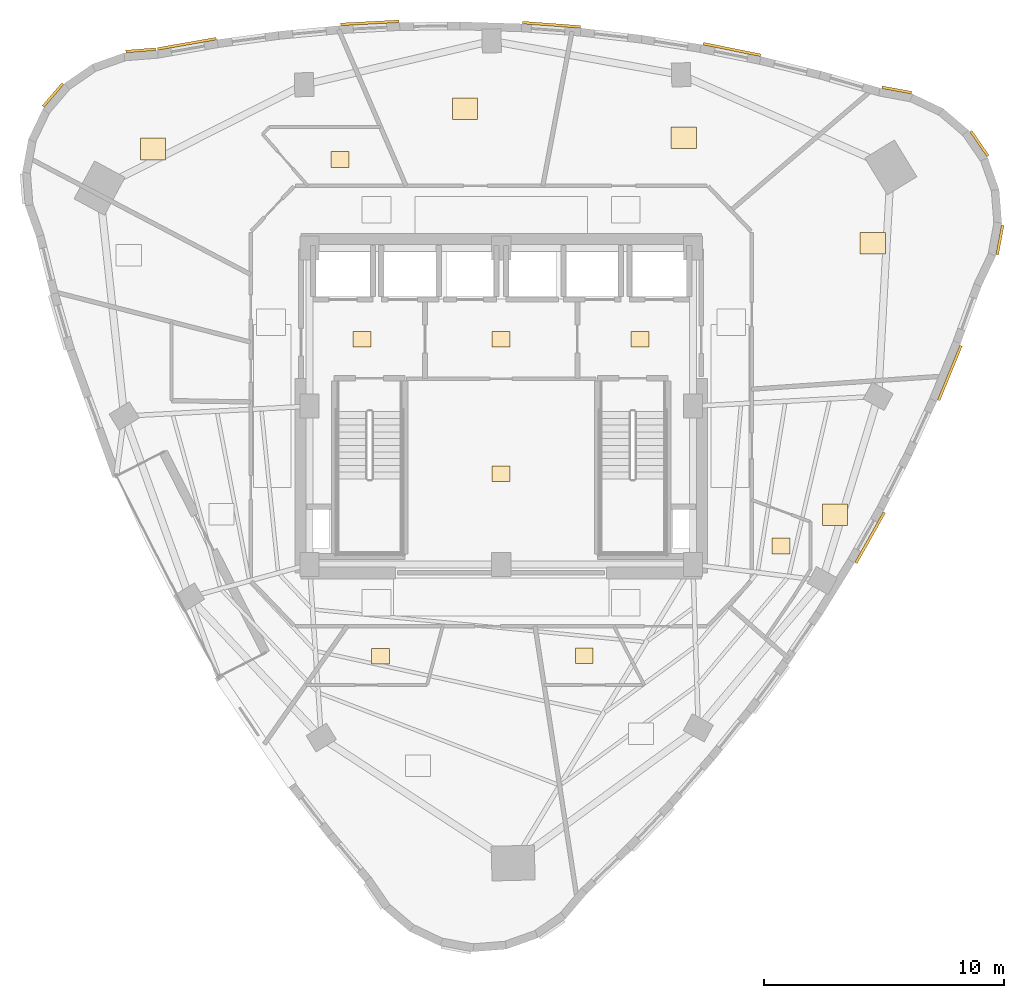
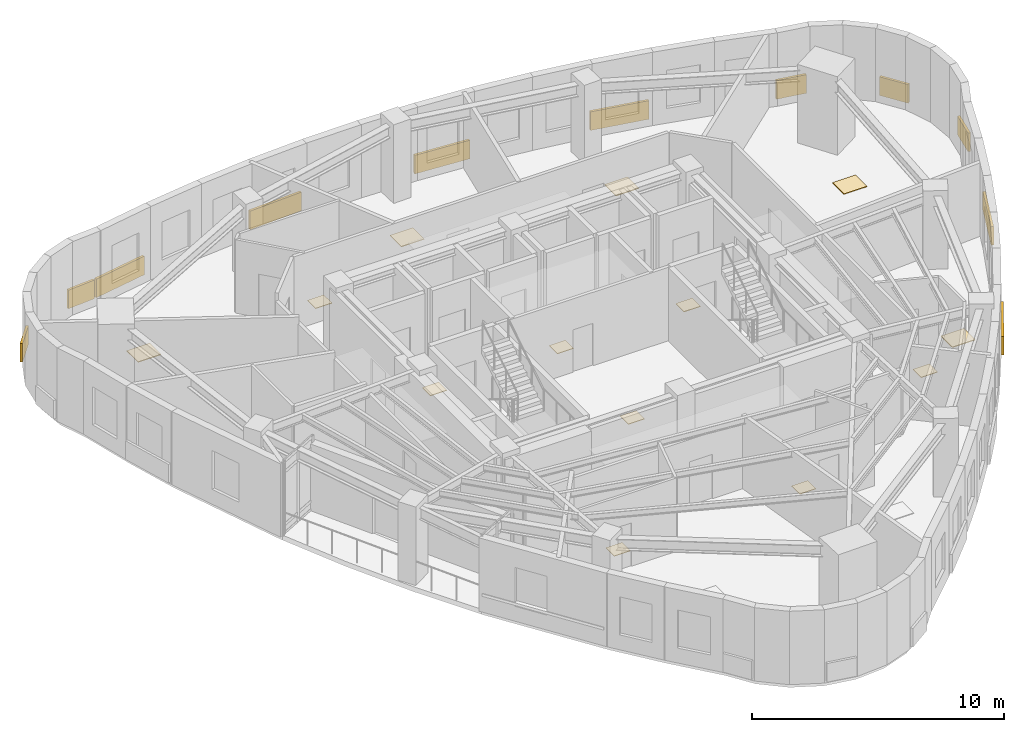
# One storey, part 12 of 12: 24 coverings.
"""IFC4 building model written with IfcOpenShell, lengths in metres."""

from ifc_helpers import new_model, si_unit, direction, frame, origin, origin_2d, place, context, subcontext, project, spatial, rectangle, extrude, material, layer, layer_set, type_object, element, save


model = new_model("IFC4")

# Units and contexts
model_context = context("Model", 3, precision=1e-05, world=origin(), true_north=direction((0.0, 1.0)))
body_context = subcontext(model_context, "Body", "Model", "MODEL_VIEW")
ifc_project = project(units=[si_unit("LENGTHUNIT", "METRE"), si_unit("AREAUNIT", "SQUARE_METRE"), si_unit("VOLUMEUNIT", "CUBIC_METRE"), si_unit("PLANEANGLEUNIT", "RADIAN"), si_unit("MASSUNIT", "GRAM", prefix="KILO")], contexts=[model_context])

# Site, building, storey
site_placement = place(None, origin())
site = spatial("IfcSite", under=ifc_project, at=site_placement, CompositionType="ELEMENT")
building_placement = place(site_placement, origin())
building = spatial("IfcBuilding", under=site, at=building_placement, Name="Ndelora Gate Hotel", CompositionType="ELEMENT")
storey_placement = place(building_placement, frame((0.0, 0.0, 194.14990234375)))
storey = spatial("IfcBuildingStorey", under=building, at=storey_placement, Name="L48", CompositionType="ELEMENT", Elevation=194.14990234375)

# Coverings
ifc_material_1 = material(Name="Terracotta Fired Clay Brick Slip Cladding", Category="masonry")
ifc_layer_1 = layer(ifc_material_1, 0.110107421875)
ifc_layer_set_1 = layer_set([ifc_layer_1], Name="Terracotta Fired Clay Brick Slip Cladding")
covering_type_1 = type_object("IfcCoveringType", Name="COV-CLAD-BRK", PredefinedType="CLADDING", material=ifc_layer_set_1)
covering_1_placement = place(storey_placement, frame((-15.0380859375, 14.849609375, 0.10009765625), z_axis=(0.0, 0.0, 1.0), x_axis=(0.996917333733, 0.078459095728, 0.0)))
element("IfcCovering", 1, at=covering_1_placement, inside=storey, type_object=covering_type_1, Name="L48 Rounded-Corner Brick Cladding Band 1", PredefinedType="CLADDING", context=body_context, shape_type="SweptSolid", body=[
    extrude(rectangle(XDim=1.257080078125, YDim=0.110107421875, at=origin_2d()), origin(), (0.0, 0.0, 1.0), 0.89990234375),
])
covering_2_placement = place(storey_placement, frame((-18.703125, 12.982421875, 0.10009765625), z_axis=(0.0, 0.0, 1.0), x_axis=(0.64944804833, 0.7604059656, 0.0)))
element("IfcCovering", 2, at=covering_2_placement, inside=storey, type_object=covering_type_1, Name="L48 Rounded-Corner Brick Cladding Band 4", PredefinedType="CLADDING", context=body_context, shape_type="SweptSolid", body=[
    extrude(rectangle(XDim=1.258056640625, YDim=0.110107421875, at=origin_2d()), origin(), (0.0, 0.0, 1.0), 0.89990234375),
])
covering_3_placement = place(storey_placement, frame((15.397705078125, -5.48388671875, 0.10009765625), z_axis=(0.0, 0.0, 1.0), x_axis=(0.490903753615, 0.87121381112, 0.0)))
element("IfcCovering", 3, at=covering_3_placement, inside=storey, type_object=covering_type_1, Name="L48 Rounded-Corner Brick Cladding Band 34", PredefinedType="CLADDING", context=body_context, shape_type="SweptSolid", body=[
    extrude(rectangle(XDim=2.419921875, YDim=0.110107421875, at=origin_2d()), origin(), (0.0, 0.0, 1.0), 0.89990234375),
])
covering_4_placement = place(storey_placement, frame((18.722900390625, 1.38720703125, 0.10009765625), z_axis=(0.0, 0.0, 1.0), x_axis=(0.379617633307, 0.925143476701, 0.0)))
element("IfcCovering", 4, at=covering_4_placement, inside=storey, type_object=covering_type_1, Name="L48 Rounded-Corner Brick Cladding Band 37", PredefinedType="CLADDING", context=body_context, shape_type="SweptSolid", body=[
    extrude(rectangle(XDim=2.4599609375, YDim=0.110107421875, at=origin_2d()), origin(), (0.0, 0.0, 1.0), 0.89990234375),
])
for number, where, z_axis, x_axis, name in (
    (5, (20.812744140625, 6.932861328125, 0.10009765625), (0.0, 0.0, 1.0), (0.182235525492, 0.983254907564, 0.0), "L48 Rounded-Corner Brick Cladding Band 40"),
    (6, (19.95751953125, 10.9560546875, 0.10009765625), (0.0, 0.0, 1.0), (-0.566406236925, 0.824126188622, 0.0), "L48 Rounded-Corner Brick Cladding Band 43"),
    (7, (16.508056640625, 13.1962890625, 0.10009765625), (0.0, 0.0, 1.0), (-0.983254907564, 0.182235525492, 0.0), "L48 Rounded-Corner Brick Cladding Band 46"),
):
    element("IfcCovering", number, at=place(storey_placement, frame(where, z_axis=z_axis, x_axis=x_axis)), inside=storey, type_object=covering_type_1, Name=name, PredefinedType="CLADDING", context=body_context, shape_type="SweptSolid", body=[
        extrude(rectangle(XDim=1.257080078125, YDim=0.110107421875, at=origin_2d()), origin(), (0.0, 0.0, 1.0), 0.89990234375),
    ])
covering_5_placement = place(storey_placement, frame((9.62841796875, 14.88720703125, 0.10009765625), z_axis=(0.0, 0.0, 1.0), x_axis=(-0.98040892658, 0.196972933884, 0.0)))
element("IfcCovering", 8, at=covering_5_placement, inside=storey, type_object=covering_type_1, Name="L48 Rounded-Corner Brick Cladding Band 49", PredefinedType="CLADDING", context=body_context, shape_type="SweptSolid", body=[
    extrude(rectangle(XDim=2.443115234375, YDim=0.110107421875, at=origin_2d()), origin(), (0.0, 0.0, 1.0), 0.89990234375),
])
covering_6_placement = place(storey_placement, frame((2.098388671875, 15.918212890625, 0.10009765625), z_axis=(0.0, 0.0, 1.0), x_axis=(-0.997314477224, 0.073238197128, 0.0)))
element("IfcCovering", 9, at=covering_6_placement, inside=storey, type_object=covering_type_1, Name="L48 Rounded-Corner Brick Cladding Band 52", PredefinedType="CLADDING", context=body_context, shape_type="SweptSolid", body=[
    extrude(rectangle(XDim=2.416015625, YDim=0.110107421875, at=origin_2d()), origin(), (0.0, 0.0, 1.0), 0.89990234375),
])
covering_7_placement = place(storey_placement, frame((-5.48193359375, 15.997314453125, 0.10009765625), z_axis=(0.0, 0.0, 1.0), x_axis=(0.998638653892, 0.052161661713, 0.0)))
element("IfcCovering", 10, at=covering_7_placement, inside=storey, type_object=covering_type_1, Name="L48 Rounded-Corner Brick Cladding Band 55", PredefinedType="CLADDING", context=body_context, shape_type="SweptSolid", body=[
    extrude(rectangle(XDim=2.428955078125, YDim=0.110107421875, at=origin_2d()), origin(), (0.0, 0.0, 1.0), 0.89990234375),
])
covering_8_placement = place(storey_placement, frame((-13.111083984375, 15.124267578125, 0.10009765625), z_axis=(0.0, 0.0, 1.0), x_axis=(0.984807753012, 0.173648177667, 0.0)))
element("IfcCovering", 11, at=covering_8_placement, inside=storey, type_object=covering_type_1, Name="L48 Rounded-Corner Brick Cladding Band 58", PredefinedType="CLADDING", context=body_context, shape_type="SweptSolid", body=[
    extrude(rectangle(XDim=2.48193359375, YDim=0.110107421875, at=origin_2d()), origin(), (0.0, 0.0, 1.0), 0.89990234375),
])
ifc_material_2 = material(Name="Engineered Highland Oak Parquet", Category="wood")
ifc_layer_2 = layer(ifc_material_2, 0.030029296875)
ifc_layer_set_2 = layer_set([ifc_layer_2], Name="Engineered Highland Oak Parquet")
covering_type_2 = type_object("IfcCoveringType", Name="COV-FLR-PARQ", PredefinedType="FLOORING", material=ifc_layer_set_2)
for number, where, z_axis, x_axis, name in (
    (12, (13.92919921875, -4.52099609375, 0.0), (0.0, 0.0, 1.0), (1.0, 0.0, 0.0), "L48 Diplomatic Sky Suite 5103 Oak Parquet Flooring"),
    (13, (15.507568359375, 6.798828125, 0.0), (0.0, 0.0, 1.0), (1.0, 0.0, 0.0), "L48 Summit Boardroom Office Oak Parquet Flooring"),
    (14, (7.6201171875, 11.21044921875, 0.0), (0.0, 0.0, 1.0), (1.0, 0.0, 0.0), "L48 Diplomatic Briefing Office Oak Parquet Flooring"),
    (15, (-1.505859375, 12.419921875, 0.0), (0.0, 0.0, 1.0), (1.0, 0.0, 0.0), "L48 Private Tea Cocktail Bar Oak Parquet Flooring"),
    (16, (-14.528564453125, 10.73193359375, 0.0), (0.0, 0.0, 1.0), (1.0, 0.0, 0.0), "L48 Altitude King Junior Suite 5104 Oak Parquet Flooring"),
):
    element("IfcCovering", number, at=place(storey_placement, frame(where, z_axis=z_axis, x_axis=x_axis)), inside=storey, type_object=covering_type_2, Name=name, PredefinedType="FLOORING", context=body_context, shape_type="SweptSolid", body=[
        extrude(rectangle(XDim=1.050048828125, YDim=0.89990234375, at=origin_2d()), origin(), (0.0, 0.0, 1.0), 0.030029296875),
    ])
ifc_material_3 = material(Name="Non-Slip Porcelain Wet-Room Tile", Category="ceramic")
ifc_layer_3 = layer(ifc_material_3, 0.02490234375)
ifc_layer_set_3 = layer_set([ifc_layer_3], Name="Non-Slip Porcelain Wet-Room Tile")
covering_type_3 = type_object("IfcCoveringType", Name="COV-FLR-TILE", PredefinedType="FLOORING", material=ifc_layer_set_3)
for number, where, z_axis, x_axis, name in (
    (17, (-5.800048828125, 2.800048828125, 0.000244140625), (0.0, 0.0, 1.0), (1.0, 0.0, 0.0), "L48 Firefighting Lift Lobby West Porcelain Tile Flooring"),
    (18, (5.800048828125, 2.800048828125, 0.000244140625), (0.0, 0.0, 1.0), (1.0, 0.0, 0.0), "L48 Firefighting Lift Lobby East Porcelain Tile Flooring"),
    (19, (0.0, 2.800048828125, 0.000244140625), (0.0, 0.0, 1.0), (1.0, 0.0, 0.0), "L48 Central Passenger Lift Lobby Porcelain Tile Flooring"),
    (20, (0.0, -2.824951171875, 0.000244140625), (0.0, 0.0, 1.0), (1.0, 0.0, 0.0), "L48 Core Electrical and Linen Service Store Porcelain Tile Flooring"),
    (21, (-5.040771484375, -10.436279296875, 0.000244140625), (0.0, 0.0, 1.0), (1.0, 0.0, 0.0), "L48 En-suite Bathroom 5101 Porcelain Tile Flooring"),
    (22, (3.466796875, -10.405029296875, 0.000244140625), (0.0, 0.0, 1.0), (1.0, 0.0, 0.0), "L48 En-suite Bathroom 5102 Porcelain Tile Flooring"),
    (23, (11.675048828125, -5.831787109375, 0.000244140625), (0.0, 0.0, 1.0), (1.0, 0.0, 0.0), "L48 En-suite Bathroom 5103 Porcelain Tile Flooring"),
    (24, (-6.732177734375, 10.29443359375, 0.000244140625), (0.0, 0.0, 1.0), (1.0, 0.0, 0.0), "L48 En-suite Bathroom 5104 Porcelain Tile Flooring"),
):
    element("IfcCovering", number, at=place(storey_placement, frame(where, z_axis=z_axis, x_axis=x_axis)), inside=storey, type_object=covering_type_3, Name=name, PredefinedType="FLOORING", context=body_context, shape_type="SweptSolid", body=[
        extrude(rectangle(XDim=0.75, YDim=0.64990234375, at=origin_2d()), origin(), (0.0, 0.0, 1.0), 0.02490234375),
    ])

save(model, "model.ifc")
